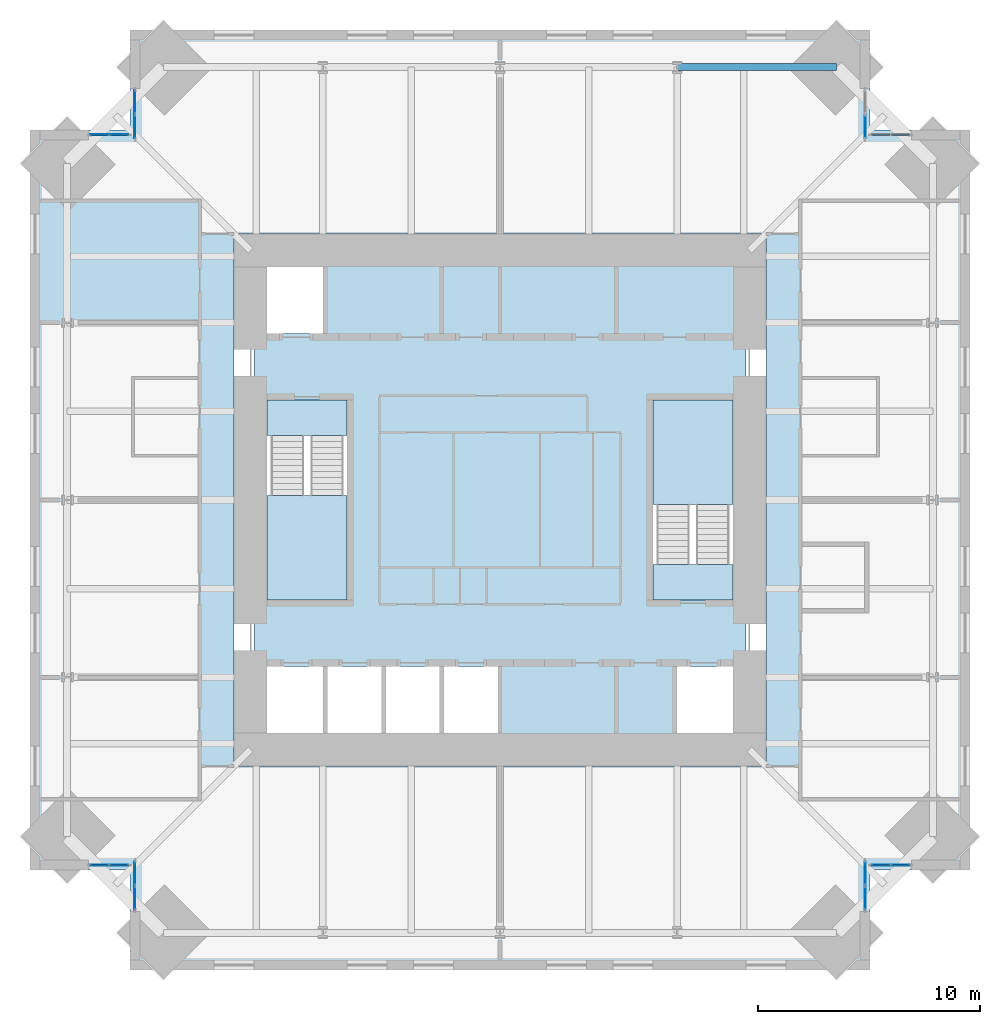
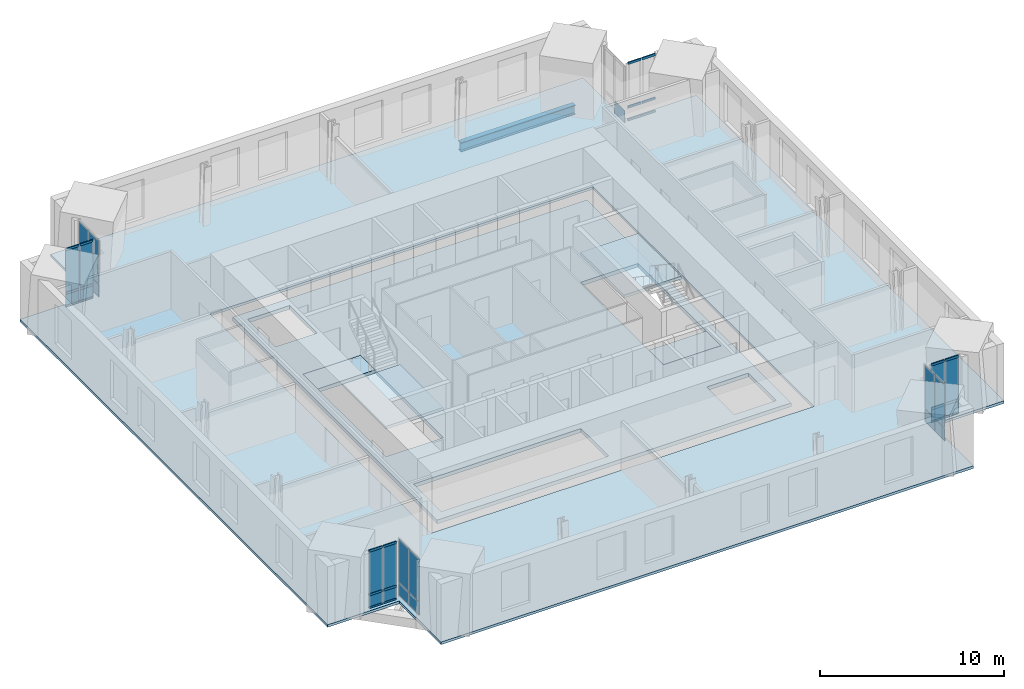
# One storey, part 9 of 15: 25 plates, 24 members, 6 slabs, 1 beam, 10 elements without a shape of their own.
"""IFC4 building model written with IfcOpenShell, lengths in metres."""

from ifc_helpers import new_model, si_unit, direction, frame, origin, origin_2d, place, context, subcontext, project, spatial, polyline, rectangle, hollow_rectangle, i_section, outline, extrude, material, layer, layer_set, material_profile, profile_set, type_object, element, aggregate, save


model = new_model("IFC4")

# Units and contexts
model_context = context("Model", 3, precision=1e-05, world=origin(), true_north=direction((0.0, 1.0)))
body_context = subcontext(model_context, "Body", "Model", "MODEL_VIEW")
ifc_project = project(units=[si_unit("LENGTHUNIT", "METRE"), si_unit("AREAUNIT", "SQUARE_METRE"), si_unit("VOLUMEUNIT", "CUBIC_METRE"), si_unit("PLANEANGLEUNIT", "RADIAN"), si_unit("MASSUNIT", "GRAM", prefix="KILO")], contexts=[model_context])

# Site, building, storey
site_placement = place(None, origin())
site = spatial("IfcSite", under=ifc_project, at=site_placement, CompositionType="ELEMENT")
building_placement = place(site_placement, origin())
building = spatial("IfcBuilding", under=site, at=building_placement, Name="Peilmerk Tower", CompositionType="ELEMENT")
storey_placement = place(building_placement, frame((0.0, 0.0, 281.800048828125)))
storey = spatial("IfcBuildingStorey", under=building, at=storey_placement, Name="L63", CompositionType="ELEMENT", Elevation=281.800048828125)

# Beam
ifc_material_1 = material(Name="Steel S355", Category="steel")
ifc_material_profile_1 = material_profile(ifc_material_1, i_section(OverallWidth=0.304931640625, OverallDepth=0.6201171875, WebThickness=0.02099609375, FlangeThickness=0.0400390625, at=origin_2d()), Name="HEM 600")
ifc_profile_set_1 = profile_set([ifc_material_profile_1], Name="Steel S355")
beam_type = type_object("IfcBeamType", Name="B31 HEM 600 edge beam", PredefinedType="SPANDREL", material=ifc_profile_set_1)
beam_placement = place(storey_placement, frame((15.183837890625, 19.533935546875, -0.47998046875), z_axis=(-1.0, 0.0, 0.0), x_axis=(0.0, -1.0, 0.0)))
element("IfcBeam", 1, at=beam_placement, inside=storey, type_object=beam_type, Name="Edge beam L63", PredefinedType="SPANDREL", context=body_context, shape_type="SweptSolid", body=[
    extrude(i_section(OverallWidth=0.304931640625, OverallDepth=0.6201171875, WebThickness=0.02099609375, FlangeThickness=0.0400390625, at=origin_2d()), origin(), (0.0, 0.0, 1.0), 7.183837890625),
])

# Curtain wall, members
ifc_material_2 = material(Name="Aluminium stick curtain wall", Category="aluminium")
curtain_wall_type = type_object("IfcCurtainWallType", Name="CW4 stick curtain wall, 2250 module", PredefinedType="NOTDEFINED", material=ifc_material_2)
curtain_wall_1_placement = place(storey_placement, origin())
curtain_wall_1 = element("IfcCurtainWall", 2, at=curtain_wall_1_placement, inside=storey, type_object=curtain_wall_type, Name="Curtain wall CW4 NEB L63", PredefinedType="NOTDEFINED")
ifc_material_3 = material(Name="Aluminium EN AW-6063 T6", Category="aluminium")
ifc_material_profile_2 = material_profile(ifc_material_3, hollow_rectangle(XDim=0.06494140625, YDim=0.14990234375, WallThickness=0.0029296875, at=origin_2d()), Name="AL 150x65x3")
ifc_profile_set_2 = profile_set([ifc_material_profile_2], Name="Aluminium EN AW-6063 T6")
member_type = type_object("IfcMemberType", Name="CW4-T AL 150x65x3 transom", PredefinedType="USERDEFINED", material=ifc_profile_set_2)
member_1_placement = place(storey_placement, frame((16.764892578125, 16.47509765625, 0.032470703125), z_axis=(1.0, 0.0, 0.0), x_axis=(0.0, 1.0, 0.0)))
member_1 = element("IfcMember", 3, at=member_1_placement, type_object=member_type, Name="CW4 transom 1.1", ObjectType="TRANSOM", PredefinedType="USERDEFINED", context=body_context, shape_type="SweptSolid", body=[
    extrude(hollow_rectangle(XDim=0.06494140625, YDim=0.14990234375, WallThickness=0.0029296875, at=origin_2d()), origin(), (0.0, 0.0, 1.0), 0.822021484375),
])
member_2_placement = place(storey_placement, frame((16.764892578125, 16.47509765625, 0.89990234375), z_axis=(1.0, 0.0, 0.0), x_axis=(0.0, 1.0, 0.0)))
member_2 = element("IfcMember", 4, at=member_2_placement, type_object=member_type, Name="CW4 transom 1.2", ObjectType="TRANSOM", PredefinedType="USERDEFINED", context=body_context, shape_type="SweptSolid", body=[
    extrude(hollow_rectangle(XDim=0.06494140625, YDim=0.14990234375, WallThickness=0.0029296875, at=origin_2d()), origin(), (0.0, 0.0, 1.0), 0.822021484375),
])
member_3_placement = place(storey_placement, frame((16.764892578125, 16.47509765625, 3.79736328125), z_axis=(1.0, 0.0, 0.0), x_axis=(0.0, 1.0, 0.0)))
member_3 = element("IfcMember", 5, at=member_3_placement, type_object=member_type, Name="CW4 transom 1.3", ObjectType="TRANSOM", PredefinedType="USERDEFINED", context=body_context, shape_type="SweptSolid", body=[
    extrude(hollow_rectangle(XDim=0.06494140625, YDim=0.14990234375, WallThickness=0.0029296875, at=origin_2d()), origin(), (0.0, 0.0, 1.0), 0.822021484375),
])
member_4_placement = place(storey_placement, frame((17.65185546875, 16.47509765625, 0.032470703125), z_axis=(1.0, 0.0, 0.0), x_axis=(0.0, 1.0, 0.0)))
member_4 = element("IfcMember", 6, at=member_4_placement, type_object=member_type, Name="CW4 transom 2.1", ObjectType="TRANSOM", PredefinedType="USERDEFINED", context=body_context, shape_type="SweptSolid", body=[
    extrude(hollow_rectangle(XDim=0.06494140625, YDim=0.14990234375, WallThickness=0.0029296875, at=origin_2d()), origin(), (0.0, 0.0, 1.0), 0.82177734375),
])
member_5_placement = place(storey_placement, frame((17.65185546875, 16.47509765625, 0.89990234375), z_axis=(1.0, 0.0, 0.0), x_axis=(0.0, 1.0, 0.0)))
member_5 = element("IfcMember", 7, at=member_5_placement, type_object=member_type, Name="CW4 transom 2.2", ObjectType="TRANSOM", PredefinedType="USERDEFINED", context=body_context, shape_type="SweptSolid", body=[
    extrude(hollow_rectangle(XDim=0.06494140625, YDim=0.14990234375, WallThickness=0.0029296875, at=origin_2d()), origin(), (0.0, 0.0, 1.0), 0.82177734375),
])
member_6_placement = place(storey_placement, frame((17.65185546875, 16.47509765625, 3.79736328125), z_axis=(1.0, 0.0, 0.0), x_axis=(0.0, 1.0, 0.0)))
member_6 = element("IfcMember", 8, at=member_6_placement, type_object=member_type, Name="CW4 transom 2.3", ObjectType="TRANSOM", PredefinedType="USERDEFINED", context=body_context, shape_type="SweptSolid", body=[
    extrude(hollow_rectangle(XDim=0.06494140625, YDim=0.14990234375, WallThickness=0.0029296875, at=origin_2d()), origin(), (0.0, 0.0, 1.0), 0.82177734375),
])
aggregate(curtain_wall_1, [member_1, member_2, member_3, member_4, member_5, member_6])

curtain_wall_2_placement = place(storey_placement, origin())
curtain_wall_2 = element("IfcCurtainWall", 9, at=curtain_wall_2_placement, inside=storey, type_object=curtain_wall_type, Name="Curtain wall CW4 SEB L63", PredefinedType="NOTDEFINED")
member_7_placement = place(storey_placement, frame((16.764892578125, -16.47509765625, 0.032470703125), z_axis=(1.0, 0.0, 0.0), x_axis=(0.0, 1.0, 0.0)))
member_7 = element("IfcMember", 10, at=member_7_placement, type_object=member_type, Name="CW4 transom 1.1", ObjectType="TRANSOM", PredefinedType="USERDEFINED", context=body_context, shape_type="SweptSolid", body=[
    extrude(hollow_rectangle(XDim=0.06494140625, YDim=0.14990234375, WallThickness=0.0029296875, at=origin_2d()), origin(), (0.0, 0.0, 1.0), 0.822021484375),
])
member_8_placement = place(storey_placement, frame((16.764892578125, -16.47509765625, 0.89990234375), z_axis=(1.0, 0.0, 0.0), x_axis=(0.0, 1.0, 0.0)))
member_8 = element("IfcMember", 11, at=member_8_placement, type_object=member_type, Name="CW4 transom 1.2", ObjectType="TRANSOM", PredefinedType="USERDEFINED", context=body_context, shape_type="SweptSolid", body=[
    extrude(hollow_rectangle(XDim=0.06494140625, YDim=0.14990234375, WallThickness=0.0029296875, at=origin_2d()), origin(), (0.0, 0.0, 1.0), 0.822021484375),
])
member_9_placement = place(storey_placement, frame((16.764892578125, -16.47509765625, 3.79736328125), z_axis=(1.0, 0.0, 0.0), x_axis=(0.0, 1.0, 0.0)))
member_9 = element("IfcMember", 12, at=member_9_placement, type_object=member_type, Name="CW4 transom 1.3", ObjectType="TRANSOM", PredefinedType="USERDEFINED", context=body_context, shape_type="SweptSolid", body=[
    extrude(hollow_rectangle(XDim=0.06494140625, YDim=0.14990234375, WallThickness=0.0029296875, at=origin_2d()), origin(), (0.0, 0.0, 1.0), 0.822021484375),
])
member_10_placement = place(storey_placement, frame((17.65185546875, -16.47509765625, 0.032470703125), z_axis=(1.0, 0.0, 0.0), x_axis=(0.0, 1.0, 0.0)))
member_10 = element("IfcMember", 13, at=member_10_placement, type_object=member_type, Name="CW4 transom 2.1", ObjectType="TRANSOM", PredefinedType="USERDEFINED", context=body_context, shape_type="SweptSolid", body=[
    extrude(hollow_rectangle(XDim=0.06494140625, YDim=0.14990234375, WallThickness=0.0029296875, at=origin_2d()), origin(), (0.0, 0.0, 1.0), 0.82177734375),
])
member_11_placement = place(storey_placement, frame((17.65185546875, -16.47509765625, 0.89990234375), z_axis=(1.0, 0.0, 0.0), x_axis=(0.0, 1.0, 0.0)))
member_11 = element("IfcMember", 14, at=member_11_placement, type_object=member_type, Name="CW4 transom 2.2", ObjectType="TRANSOM", PredefinedType="USERDEFINED", context=body_context, shape_type="SweptSolid", body=[
    extrude(hollow_rectangle(XDim=0.06494140625, YDim=0.14990234375, WallThickness=0.0029296875, at=origin_2d()), origin(), (0.0, 0.0, 1.0), 0.82177734375),
])
member_12_placement = place(storey_placement, frame((17.65185546875, -16.47509765625, 3.79736328125), z_axis=(1.0, 0.0, 0.0), x_axis=(0.0, 1.0, 0.0)))
member_12 = element("IfcMember", 15, at=member_12_placement, type_object=member_type, Name="CW4 transom 2.3", ObjectType="TRANSOM", PredefinedType="USERDEFINED", context=body_context, shape_type="SweptSolid", body=[
    extrude(hollow_rectangle(XDim=0.06494140625, YDim=0.14990234375, WallThickness=0.0029296875, at=origin_2d()), origin(), (0.0, 0.0, 1.0), 0.82177734375),
])

curtain_wall_3_placement = place(storey_placement, origin())
curtain_wall_3 = element("IfcCurtainWall", 16, at=curtain_wall_3_placement, inside=storey, type_object=curtain_wall_type, Name="Curtain wall CW4 SWB L63", PredefinedType="NOTDEFINED")
member_13_placement = place(storey_placement, frame((-16.764892578125, -16.47509765625, 0.032470703125), z_axis=(-1.0, 0.0, 0.0), x_axis=(0.0, -1.0, 0.0)))
member_13 = element("IfcMember", 17, at=member_13_placement, type_object=member_type, Name="CW4 transom 1.1", ObjectType="TRANSOM", PredefinedType="USERDEFINED", context=body_context, shape_type="SweptSolid", body=[
    extrude(hollow_rectangle(XDim=0.06494140625, YDim=0.14990234375, WallThickness=0.0029296875, at=origin_2d()), origin(), (0.0, 0.0, 1.0), 0.822021484375),
])
member_14_placement = place(storey_placement, frame((-16.764892578125, -16.47509765625, 0.89990234375), z_axis=(-1.0, 0.0, 0.0), x_axis=(0.0, -1.0, 0.0)))
member_14 = element("IfcMember", 18, at=member_14_placement, type_object=member_type, Name="CW4 transom 1.2", ObjectType="TRANSOM", PredefinedType="USERDEFINED", context=body_context, shape_type="SweptSolid", body=[
    extrude(hollow_rectangle(XDim=0.06494140625, YDim=0.14990234375, WallThickness=0.0029296875, at=origin_2d()), origin(), (0.0, 0.0, 1.0), 0.822021484375),
])
member_15_placement = place(storey_placement, frame((-16.764892578125, -16.47509765625, 3.79736328125), z_axis=(-1.0, 0.0, 0.0), x_axis=(0.0, -1.0, 0.0)))
member_15 = element("IfcMember", 19, at=member_15_placement, type_object=member_type, Name="CW4 transom 1.3", ObjectType="TRANSOM", PredefinedType="USERDEFINED", context=body_context, shape_type="SweptSolid", body=[
    extrude(hollow_rectangle(XDim=0.06494140625, YDim=0.14990234375, WallThickness=0.0029296875, at=origin_2d()), origin(), (0.0, 0.0, 1.0), 0.822021484375),
])
member_16_placement = place(storey_placement, frame((-17.65185546875, -16.47509765625, 0.032470703125), z_axis=(-1.0, 0.0, 0.0), x_axis=(0.0, -1.0, 0.0)))
member_16 = element("IfcMember", 20, at=member_16_placement, type_object=member_type, Name="CW4 transom 2.1", ObjectType="TRANSOM", PredefinedType="USERDEFINED", context=body_context, shape_type="SweptSolid", body=[
    extrude(hollow_rectangle(XDim=0.06494140625, YDim=0.14990234375, WallThickness=0.0029296875, at=origin_2d()), origin(), (0.0, 0.0, 1.0), 0.82177734375),
])
member_17_placement = place(storey_placement, frame((-17.65185546875, -16.47509765625, 0.89990234375), z_axis=(-1.0, 0.0, 0.0), x_axis=(0.0, -1.0, 0.0)))
member_17 = element("IfcMember", 21, at=member_17_placement, type_object=member_type, Name="CW4 transom 2.2", ObjectType="TRANSOM", PredefinedType="USERDEFINED", context=body_context, shape_type="SweptSolid", body=[
    extrude(hollow_rectangle(XDim=0.06494140625, YDim=0.14990234375, WallThickness=0.0029296875, at=origin_2d()), origin(), (0.0, 0.0, 1.0), 0.82177734375),
])
member_18_placement = place(storey_placement, frame((-17.65185546875, -16.47509765625, 3.79736328125), z_axis=(-1.0, 0.0, 0.0), x_axis=(0.0, -1.0, 0.0)))
member_18 = element("IfcMember", 22, at=member_18_placement, type_object=member_type, Name="CW4 transom 2.3", ObjectType="TRANSOM", PredefinedType="USERDEFINED", context=body_context, shape_type="SweptSolid", body=[
    extrude(hollow_rectangle(XDim=0.06494140625, YDim=0.14990234375, WallThickness=0.0029296875, at=origin_2d()), origin(), (0.0, 0.0, 1.0), 0.82177734375),
])

curtain_wall_4_placement = place(storey_placement, origin())
curtain_wall_4 = element("IfcCurtainWall", 23, at=curtain_wall_4_placement, inside=storey, type_object=curtain_wall_type, Name="Curtain wall CW4 NWB L63", PredefinedType="NOTDEFINED")
member_19_placement = place(storey_placement, frame((-16.764892578125, 16.47509765625, 0.032470703125), z_axis=(-1.0, 0.0, 0.0), x_axis=(0.0, -1.0, 0.0)))
member_19 = element("IfcMember", 24, at=member_19_placement, type_object=member_type, Name="CW4 transom 1.1", ObjectType="TRANSOM", PredefinedType="USERDEFINED", context=body_context, shape_type="SweptSolid", body=[
    extrude(hollow_rectangle(XDim=0.06494140625, YDim=0.14990234375, WallThickness=0.0029296875, at=origin_2d()), origin(), (0.0, 0.0, 1.0), 0.822021484375),
])
member_20_placement = place(storey_placement, frame((-16.764892578125, 16.47509765625, 0.89990234375), z_axis=(-1.0, 0.0, 0.0), x_axis=(0.0, -1.0, 0.0)))
member_20 = element("IfcMember", 25, at=member_20_placement, type_object=member_type, Name="CW4 transom 1.2", ObjectType="TRANSOM", PredefinedType="USERDEFINED", context=body_context, shape_type="SweptSolid", body=[
    extrude(hollow_rectangle(XDim=0.06494140625, YDim=0.14990234375, WallThickness=0.0029296875, at=origin_2d()), origin(), (0.0, 0.0, 1.0), 0.822021484375),
])
member_21_placement = place(storey_placement, frame((-16.764892578125, 16.47509765625, 3.79736328125), z_axis=(-1.0, 0.0, 0.0), x_axis=(0.0, -1.0, 0.0)))
member_21 = element("IfcMember", 26, at=member_21_placement, type_object=member_type, Name="CW4 transom 1.3", ObjectType="TRANSOM", PredefinedType="USERDEFINED", context=body_context, shape_type="SweptSolid", body=[
    extrude(hollow_rectangle(XDim=0.06494140625, YDim=0.14990234375, WallThickness=0.0029296875, at=origin_2d()), origin(), (0.0, 0.0, 1.0), 0.822021484375),
])
member_22_placement = place(storey_placement, frame((-17.65185546875, 16.47509765625, 0.032470703125), z_axis=(-1.0, 0.0, 0.0), x_axis=(0.0, -1.0, 0.0)))
member_22 = element("IfcMember", 27, at=member_22_placement, type_object=member_type, Name="CW4 transom 2.1", ObjectType="TRANSOM", PredefinedType="USERDEFINED", context=body_context, shape_type="SweptSolid", body=[
    extrude(hollow_rectangle(XDim=0.06494140625, YDim=0.14990234375, WallThickness=0.0029296875, at=origin_2d()), origin(), (0.0, 0.0, 1.0), 0.82177734375),
])
member_23_placement = place(storey_placement, frame((-17.65185546875, 16.47509765625, 0.89990234375), z_axis=(-1.0, 0.0, 0.0), x_axis=(0.0, -1.0, 0.0)))
member_23 = element("IfcMember", 28, at=member_23_placement, type_object=member_type, Name="CW4 transom 2.2", ObjectType="TRANSOM", PredefinedType="USERDEFINED", context=body_context, shape_type="SweptSolid", body=[
    extrude(hollow_rectangle(XDim=0.06494140625, YDim=0.14990234375, WallThickness=0.0029296875, at=origin_2d()), origin(), (0.0, 0.0, 1.0), 0.82177734375),
])
member_24_placement = place(storey_placement, frame((-17.65185546875, 16.47509765625, 3.79736328125), z_axis=(-1.0, 0.0, 0.0), x_axis=(0.0, -1.0, 0.0)))
member_24 = element("IfcMember", 29, at=member_24_placement, type_object=member_type, Name="CW4 transom 2.3", ObjectType="TRANSOM", PredefinedType="USERDEFINED", context=body_context, shape_type="SweptSolid", body=[
    extrude(hollow_rectangle(XDim=0.06494140625, YDim=0.14990234375, WallThickness=0.0029296875, at=origin_2d()), origin(), (0.0, 0.0, 1.0), 0.82177734375),
])

# Slab
ifc_material_4 = material(Name="Concrete C55/67", Category="concrete")
ifc_layer_1 = layer(ifc_material_4, 0.25)
ifc_layer_set_1 = layer_set([ifc_layer_1], Name="Concrete C55/67")
slab_type_1 = type_object("IfcSlabType", Name="CS250 250 core floor slab", PredefinedType="FLOOR", material=ifc_layer_set_1)
slab_1_placement = place(storey_placement, frame((0.0, 0.0, -0.25)))
element("IfcSlab", 30, at=slab_1_placement, inside=storey, type_object=slab_type_1, Name="Core slab L63", PredefinedType="FLOOR", context=body_context, shape_type="SweptSolid", body=[
    extrude(outline(polyline([(11.10009765625, -11.10009765625), (11.10009765625, 11.10009765625), (-11.10009765625, 11.10009765625), (-11.10009765625, -11.10009765625), (11.10009765625, -11.10009765625)]), holes=[polyline([(-7.875, 7.5), (-10.5, 7.5), (-10.5, 10.5), (-7.875, 10.5), (-7.875, 7.5)]), polyline([(0.0, -10.5), (-10.5, -10.5), (-10.5, -7.5), (0.0, -7.5), (0.0, -10.5)]), polyline([(7.875, -10.5), (7.875, -7.5), (10.5, -7.5), (10.5, -10.5), (7.875, -10.5)]), polyline([(-10.5, 4.5), (-6.89990234375, 4.5), (-6.89990234375, -4.5), (-10.5, -4.5), (-10.5, 4.5)]), polyline([(10.5, 4.5), (10.5, -4.5), (6.89990234375, -4.5), (6.89990234375, 4.5), (10.5, 4.5)])]), origin(), (0.0, 0.0, 1.0), 0.25),
])

# Curtain wall, plate
curtain_wall_5_placement = place(storey_placement, origin())
curtain_wall_5 = element("IfcCurtainWall", 31, at=curtain_wall_5_placement, inside=storey, type_object=curtain_wall_type, Name="Curtain wall CW4 NEA L63", PredefinedType="NOTDEFINED")
ifc_material_5 = material(Name="Clear insulated glazing unit", Category="glass")
ifc_layer_2 = layer(ifc_material_5, 0.028076171875)
ifc_layer_set_2 = layer_set([ifc_layer_2], Name="Clear insulated glazing unit")
plate_type = type_object("IfcPlateType", Name="CW4-P 28 glazed panel", PredefinedType="CURTAIN_PANEL", material=ifc_layer_set_2)
plate_1_placement = place(storey_placement, frame((16.47509765625, 16.83837890625, 0.06494140625), z_axis=(0.0, 0.0, 1.0), x_axis=(0.0, 1.0, 0.0)))
plate_1 = element("IfcPlate", 32, at=plate_1_placement, type_object=plate_type, Name="CW4 panel 1.1", PredefinedType="CURTAIN_PANEL", context=body_context, shape_type="SweptSolid", body=[
    extrude(rectangle(XDim=1.046875, YDim=0.028076171875, at=origin_2d()), origin(), (0.0, 0.0, 1.0), 0.802490234375),
])
aggregate(curtain_wall_5, [plate_1])

# Curtain wall, plates
curtain_wall_6_placement = place(storey_placement, origin())
curtain_wall_6 = element("IfcCurtainWall", 33, at=curtain_wall_6_placement, inside=storey, type_object=curtain_wall_type, Name="Curtain wall CW4 SEA L63", PredefinedType="NOTDEFINED")
plate_2_placement = place(storey_placement, frame((16.47509765625, -16.83837890625, 0.06494140625), z_axis=(0.0, 0.0, 1.0), x_axis=(0.0, -1.0, 0.0)))
plate_2 = element("IfcPlate", 34, at=plate_2_placement, type_object=plate_type, Name="CW4 panel 1.1", PredefinedType="CURTAIN_PANEL", context=body_context, shape_type="SweptSolid", body=[
    extrude(rectangle(XDim=1.046875, YDim=0.028076171875, at=origin_2d()), origin(), (0.0, 0.0, 1.0), 0.802490234375),
])
plate_3_placement = place(storey_placement, frame((16.47509765625, -16.83837890625, 0.932373046875), z_axis=(0.0, 0.0, 1.0), x_axis=(0.0, -1.0, 0.0)))
plate_3 = element("IfcPlate", 35, at=plate_3_placement, type_object=plate_type, Name="CW4 panel 1.2", PredefinedType="CURTAIN_PANEL", context=body_context, shape_type="SweptSolid", body=[
    extrude(rectangle(XDim=1.046875, YDim=0.028076171875, at=origin_2d()), origin(), (0.0, 0.0, 1.0), 2.83251953125),
])
plate_4_placement = place(storey_placement, frame((16.47509765625, -17.9501953125, 0.06494140625), z_axis=(0.0, 0.0, 1.0), x_axis=(0.0, -1.0, 0.0)))
plate_4 = element("IfcPlate", 36, at=plate_4_placement, type_object=plate_type, Name="CW4 panel 2.1", PredefinedType="CURTAIN_PANEL", context=body_context, shape_type="SweptSolid", body=[
    extrude(rectangle(XDim=1.046875, YDim=0.028076171875, at=origin_2d()), origin(), (0.0, 0.0, 1.0), 0.802490234375),
])
plate_5_placement = place(storey_placement, frame((16.47509765625, -17.9501953125, 0.932373046875), z_axis=(0.0, 0.0, 1.0), x_axis=(0.0, -1.0, 0.0)))
plate_5 = element("IfcPlate", 37, at=plate_5_placement, type_object=plate_type, Name="CW4 panel 2.2", PredefinedType="CURTAIN_PANEL", context=body_context, shape_type="SweptSolid", body=[
    extrude(rectangle(XDim=1.046875, YDim=0.028076171875, at=origin_2d()), origin(), (0.0, 0.0, 1.0), 2.83251953125),
])
aggregate(curtain_wall_6, [plate_2, plate_3, plate_4, plate_5])

# Plate
plate_6_placement = place(storey_placement, frame((17.176025390625, -16.47509765625, 0.06494140625), z_axis=(0.0, 0.0, 1.0), x_axis=(1.0, 0.0, 0.0)))
plate_6 = element("IfcPlate", 38, at=plate_6_placement, type_object=plate_type, Name="CW4 panel 1.1", PredefinedType="CURTAIN_PANEL", context=body_context, shape_type="SweptSolid", body=[
    extrude(rectangle(XDim=0.82177734375, YDim=0.028076171875, at=origin_2d()), origin(), (0.0, 0.0, 1.0), 0.802490234375),
])

plate_7_placement = place(storey_placement, frame((17.176025390625, -16.47509765625, 0.932373046875), z_axis=(0.0, 0.0, 1.0), x_axis=(1.0, 0.0, 0.0)))
plate_7 = element("IfcPlate", 39, at=plate_7_placement, type_object=plate_type, Name="CW4 panel 1.2", PredefinedType="CURTAIN_PANEL", context=body_context, shape_type="SweptSolid", body=[
    extrude(rectangle(XDim=0.82177734375, YDim=0.028076171875, at=origin_2d()), origin(), (0.0, 0.0, 1.0), 2.83251953125),
])

plate_8_placement = place(storey_placement, frame((18.062744140625, -16.47509765625, 0.06494140625), z_axis=(0.0, 0.0, 1.0), x_axis=(1.0, 0.0, 0.0)))
plate_8 = element("IfcPlate", 40, at=plate_8_placement, type_object=plate_type, Name="CW4 panel 2.1", PredefinedType="CURTAIN_PANEL", context=body_context, shape_type="SweptSolid", body=[
    extrude(rectangle(XDim=0.82177734375, YDim=0.028076171875, at=origin_2d()), origin(), (0.0, 0.0, 1.0), 0.802490234375),
])

plate_9_placement = place(storey_placement, frame((18.062744140625, -16.47509765625, 0.932373046875), z_axis=(0.0, 0.0, 1.0), x_axis=(1.0, 0.0, 0.0)))
plate_9 = element("IfcPlate", 41, at=plate_9_placement, type_object=plate_type, Name="CW4 panel 2.2", PredefinedType="CURTAIN_PANEL", context=body_context, shape_type="SweptSolid", body=[
    extrude(rectangle(XDim=0.82177734375, YDim=0.028076171875, at=origin_2d()), origin(), (0.0, 0.0, 1.0), 2.83251953125),
])

aggregate(curtain_wall_2, [member_7, member_8, member_9, plate_6, plate_7, member_10, member_11, member_12, plate_8, plate_9])

# Curtain wall, plates
curtain_wall_7_placement = place(storey_placement, origin())
curtain_wall_7 = element("IfcCurtainWall", 42, at=curtain_wall_7_placement, inside=storey, type_object=curtain_wall_type, Name="Curtain wall CW4 SWA L63", PredefinedType="NOTDEFINED")
plate_10_placement = place(storey_placement, frame((-16.47509765625, -16.83837890625, 0.06494140625), z_axis=(0.0, 0.0, 1.0), x_axis=(0.0, -1.0, 0.0)))
plate_10 = element("IfcPlate", 43, at=plate_10_placement, type_object=plate_type, Name="CW4 panel 1.1", PredefinedType="CURTAIN_PANEL", context=body_context, shape_type="SweptSolid", body=[
    extrude(rectangle(XDim=1.046875, YDim=0.028076171875, at=origin_2d()), origin(), (0.0, 0.0, 1.0), 0.802490234375),
])
plate_11_placement = place(storey_placement, frame((-16.47509765625, -16.83837890625, 0.932373046875), z_axis=(0.0, 0.0, 1.0), x_axis=(0.0, -1.0, 0.0)))
plate_11 = element("IfcPlate", 44, at=plate_11_placement, type_object=plate_type, Name="CW4 panel 1.2", PredefinedType="CURTAIN_PANEL", context=body_context, shape_type="SweptSolid", body=[
    extrude(rectangle(XDim=1.046875, YDim=0.028076171875, at=origin_2d()), origin(), (0.0, 0.0, 1.0), 2.83251953125),
])
plate_12_placement = place(storey_placement, frame((-16.47509765625, -17.9501953125, 0.06494140625), z_axis=(0.0, 0.0, 1.0), x_axis=(0.0, -1.0, 0.0)))
plate_12 = element("IfcPlate", 45, at=plate_12_placement, type_object=plate_type, Name="CW4 panel 2.1", PredefinedType="CURTAIN_PANEL", context=body_context, shape_type="SweptSolid", body=[
    extrude(rectangle(XDim=1.046875, YDim=0.028076171875, at=origin_2d()), origin(), (0.0, 0.0, 1.0), 0.802490234375),
])
plate_13_placement = place(storey_placement, frame((-16.47509765625, -17.9501953125, 0.932373046875), z_axis=(0.0, 0.0, 1.0), x_axis=(0.0, -1.0, 0.0)))
plate_13 = element("IfcPlate", 46, at=plate_13_placement, type_object=plate_type, Name="CW4 panel 2.2", PredefinedType="CURTAIN_PANEL", context=body_context, shape_type="SweptSolid", body=[
    extrude(rectangle(XDim=1.046875, YDim=0.028076171875, at=origin_2d()), origin(), (0.0, 0.0, 1.0), 2.83251953125),
])
aggregate(curtain_wall_7, [plate_10, plate_11, plate_12, plate_13])

# Plate
plate_14_placement = place(storey_placement, frame((-17.176025390625, -16.47509765625, 0.06494140625), z_axis=(0.0, 0.0, 1.0), x_axis=(-1.0, 0.0, 0.0)))
plate_14 = element("IfcPlate", 47, at=plate_14_placement, type_object=plate_type, Name="CW4 panel 1.1", PredefinedType="CURTAIN_PANEL", context=body_context, shape_type="SweptSolid", body=[
    extrude(rectangle(XDim=0.82177734375, YDim=0.028076171875, at=origin_2d()), origin(), (0.0, 0.0, 1.0), 0.802490234375),
])

plate_15_placement = place(storey_placement, frame((-17.176025390625, -16.47509765625, 0.932373046875), z_axis=(0.0, 0.0, 1.0), x_axis=(-1.0, 0.0, 0.0)))
plate_15 = element("IfcPlate", 48, at=plate_15_placement, type_object=plate_type, Name="CW4 panel 1.2", PredefinedType="CURTAIN_PANEL", context=body_context, shape_type="SweptSolid", body=[
    extrude(rectangle(XDim=0.82177734375, YDim=0.028076171875, at=origin_2d()), origin(), (0.0, 0.0, 1.0), 2.83251953125),
])

plate_16_placement = place(storey_placement, frame((-18.062744140625, -16.47509765625, 0.06494140625), z_axis=(0.0, 0.0, 1.0), x_axis=(-1.0, 0.0, 0.0)))
plate_16 = element("IfcPlate", 49, at=plate_16_placement, type_object=plate_type, Name="CW4 panel 2.1", PredefinedType="CURTAIN_PANEL", context=body_context, shape_type="SweptSolid", body=[
    extrude(rectangle(XDim=0.82177734375, YDim=0.028076171875, at=origin_2d()), origin(), (0.0, 0.0, 1.0), 0.802490234375),
])

plate_17_placement = place(storey_placement, frame((-18.062744140625, -16.47509765625, 0.932373046875), z_axis=(0.0, 0.0, 1.0), x_axis=(-1.0, 0.0, 0.0)))
plate_17 = element("IfcPlate", 50, at=plate_17_placement, type_object=plate_type, Name="CW4 panel 2.2", PredefinedType="CURTAIN_PANEL", context=body_context, shape_type="SweptSolid", body=[
    extrude(rectangle(XDim=0.82177734375, YDim=0.028076171875, at=origin_2d()), origin(), (0.0, 0.0, 1.0), 2.83251953125),
])

aggregate(curtain_wall_3, [member_13, member_14, member_15, plate_14, plate_15, member_16, member_17, member_18, plate_16, plate_17])

# Curtain wall, plates
curtain_wall_8_placement = place(storey_placement, origin())
curtain_wall_8 = element("IfcCurtainWall", 51, at=curtain_wall_8_placement, inside=storey, type_object=curtain_wall_type, Name="Curtain wall CW4 NWA L63", PredefinedType="NOTDEFINED")
plate_18_placement = place(storey_placement, frame((-16.47509765625, 16.83837890625, 0.06494140625), z_axis=(0.0, 0.0, 1.0), x_axis=(0.0, 1.0, 0.0)))
plate_18 = element("IfcPlate", 52, at=plate_18_placement, type_object=plate_type, Name="CW4 panel 1.1", PredefinedType="CURTAIN_PANEL", context=body_context, shape_type="SweptSolid", body=[
    extrude(rectangle(XDim=1.046875, YDim=0.028076171875, at=origin_2d()), origin(), (0.0, 0.0, 1.0), 0.802490234375),
])
plate_19_placement = place(storey_placement, frame((-16.47509765625, 16.83837890625, 0.932373046875), z_axis=(0.0, 0.0, 1.0), x_axis=(0.0, 1.0, 0.0)))
plate_19 = element("IfcPlate", 53, at=plate_19_placement, type_object=plate_type, Name="CW4 panel 1.2", PredefinedType="CURTAIN_PANEL", context=body_context, shape_type="SweptSolid", body=[
    extrude(rectangle(XDim=1.046875, YDim=0.028076171875, at=origin_2d()), origin(), (0.0, 0.0, 1.0), 2.83251953125),
])
plate_20_placement = place(storey_placement, frame((-16.47509765625, 17.9501953125, 0.06494140625), z_axis=(0.0, 0.0, 1.0), x_axis=(0.0, 1.0, 0.0)))
plate_20 = element("IfcPlate", 54, at=plate_20_placement, type_object=plate_type, Name="CW4 panel 2.1", PredefinedType="CURTAIN_PANEL", context=body_context, shape_type="SweptSolid", body=[
    extrude(rectangle(XDim=1.046875, YDim=0.028076171875, at=origin_2d()), origin(), (0.0, 0.0, 1.0), 0.802490234375),
])
plate_21_placement = place(storey_placement, frame((-16.47509765625, 17.9501953125, 0.932373046875), z_axis=(0.0, 0.0, 1.0), x_axis=(0.0, 1.0, 0.0)))
plate_21 = element("IfcPlate", 55, at=plate_21_placement, type_object=plate_type, Name="CW4 panel 2.2", PredefinedType="CURTAIN_PANEL", context=body_context, shape_type="SweptSolid", body=[
    extrude(rectangle(XDim=1.046875, YDim=0.028076171875, at=origin_2d()), origin(), (0.0, 0.0, 1.0), 2.83251953125),
])
aggregate(curtain_wall_8, [plate_18, plate_19, plate_20, plate_21])

# Plate
plate_22_placement = place(storey_placement, frame((-17.176025390625, 16.47509765625, 0.06494140625), z_axis=(0.0, 0.0, 1.0), x_axis=(-1.0, 0.0, 0.0)))
plate_22 = element("IfcPlate", 56, at=plate_22_placement, type_object=plate_type, Name="CW4 panel 1.1", PredefinedType="CURTAIN_PANEL", context=body_context, shape_type="SweptSolid", body=[
    extrude(rectangle(XDim=0.82177734375, YDim=0.028076171875, at=origin_2d()), origin(), (0.0, 0.0, 1.0), 0.802490234375),
])

plate_23_placement = place(storey_placement, frame((-17.176025390625, 16.47509765625, 0.932373046875), z_axis=(0.0, 0.0, 1.0), x_axis=(-1.0, 0.0, 0.0)))
plate_23 = element("IfcPlate", 57, at=plate_23_placement, type_object=plate_type, Name="CW4 panel 1.2", PredefinedType="CURTAIN_PANEL", context=body_context, shape_type="SweptSolid", body=[
    extrude(rectangle(XDim=0.82177734375, YDim=0.028076171875, at=origin_2d()), origin(), (0.0, 0.0, 1.0), 2.83251953125),
])

plate_24_placement = place(storey_placement, frame((-18.062744140625, 16.47509765625, 0.06494140625), z_axis=(0.0, 0.0, 1.0), x_axis=(-1.0, 0.0, 0.0)))
plate_24 = element("IfcPlate", 58, at=plate_24_placement, type_object=plate_type, Name="CW4 panel 2.1", PredefinedType="CURTAIN_PANEL", context=body_context, shape_type="SweptSolid", body=[
    extrude(rectangle(XDim=0.82177734375, YDim=0.028076171875, at=origin_2d()), origin(), (0.0, 0.0, 1.0), 0.802490234375),
])

plate_25_placement = place(storey_placement, frame((-18.062744140625, 16.47509765625, 0.932373046875), z_axis=(0.0, 0.0, 1.0), x_axis=(-1.0, 0.0, 0.0)))
plate_25 = element("IfcPlate", 59, at=plate_25_placement, type_object=plate_type, Name="CW4 panel 2.2", PredefinedType="CURTAIN_PANEL", context=body_context, shape_type="SweptSolid", body=[
    extrude(rectangle(XDim=0.82177734375, YDim=0.028076171875, at=origin_2d()), origin(), (0.0, 0.0, 1.0), 2.83251953125),
])

aggregate(curtain_wall_4, [member_19, member_20, member_21, plate_22, plate_23, member_22, member_23, member_24, plate_24, plate_25])

# Slab
ifc_material_6 = material(Name="Concrete C35/45", Category="concrete")
ifc_layer_3 = layer(ifc_material_6, 0.169921875)
ifc_layer_set_3 = layer_set([ifc_layer_3], Name="Concrete C35/45")
slab_type_2 = type_object("IfcSlabType", Name="FS170 170 composite floor slab", PredefinedType="FLOOR", material=ifc_layer_set_3)
slab_2_placement = place(storey_placement, frame((0.0, 0.0, -0.170166015625)))
element("IfcSlab", 60, at=slab_2_placement, inside=storey, type_object=slab_type_2, Name="Floor slab L63", PredefinedType="FLOOR", context=body_context, shape_type="SweptSolid", body=[
    extrude(outline(polyline([(-16.699951171875, -21.199951171875), (16.699951171875, -21.199951171875), (16.699951171875, -16.699951171875), (21.199951171875, -16.699951171875), (21.199951171875, 16.699951171875), (16.699951171875, 16.699951171875), (16.699951171875, 21.199951171875), (-16.699951171875, 21.199951171875), (-16.699951171875, 16.699951171875), (-21.199951171875, 16.699951171875), (-21.199951171875, -16.699951171875), (-16.699951171875, -16.699951171875), (-16.699951171875, -21.199951171875)]), holes=[polyline([(12.0, 12.0), (12.0, -12.0), (-12.0, -12.0), (-12.0, 12.0), (12.0, 12.0)])]), origin(), (0.0, 0.0, 1.0), 0.170166015625),
])

# Stair, slab
ifc_material_7 = material(Name="Precast concrete C45/55", Category="concrete")
stair_type_1 = type_object("IfcStairType", Name="ST1 22 risers of 181.8", PredefinedType="HALF_TURN_STAIR", material=ifc_material_7)
stair_1_placement = place(storey_placement, origin())
stair_1 = element("IfcStair", 61, at=stair_1_placement, inside=storey, type_object=stair_type_1, Name="Stair 1 L63 to L64", PredefinedType="HALF_TURN_STAIR")
ifc_layer_4 = layer(ifc_material_6, 0.199951171875)
ifc_layer_set_4 = layer_set([ifc_layer_4], Name="Concrete C35/45")
slab_type_3 = type_object("IfcSlabType", Name="SL1 200 concrete stair landing", PredefinedType="LANDING", material=ifc_layer_set_4)
slab_3_placement = place(storey_placement, frame((0.0, 0.0, 1.800048828125)))
slab_3 = element("IfcSlab", 62, at=slab_3_placement, type_object=slab_type_3, Name="ST1 landing 1", PredefinedType="LANDING", context=body_context, shape_type="SweptSolid", body=[
    extrude(outline(polyline([(-10.5, -4.5), (-6.89990234375, -4.5), (-6.89990234375, 0.199951171875), (-10.5, 0.199951171875), (-10.5, -4.5)])), origin(), (0.0, 0.0, 1.0), 0.199951171875),
])

stair_type_2 = type_object("IfcStairType", Name="ST2 22 risers of 181.8", PredefinedType="HALF_TURN_STAIR", material=ifc_material_7)
stair_2_placement = place(storey_placement, origin())
stair_2 = element("IfcStair", 63, at=stair_2_placement, inside=storey, type_object=stair_type_2, Name="Stair 2 L63 to L64", PredefinedType="HALF_TURN_STAIR")
slab_4_placement = place(storey_placement, frame((0.0, 0.0, 1.800048828125)))
slab_4 = element("IfcSlab", 64, at=slab_4_placement, type_object=slab_type_3, Name="ST2 landing 1", PredefinedType="LANDING", context=body_context, shape_type="SweptSolid", body=[
    extrude(outline(polyline([(6.89990234375, -0.199951171875), (10.5, -0.199951171875), (10.5, 4.5), (6.89990234375, 4.5), (6.89990234375, -0.199951171875)])), origin(), (0.0, 0.0, 1.0), 0.199951171875),
])

# Slab
ifc_layer_5 = layer(ifc_material_6, 0.25)
ifc_layer_set_5 = layer_set([ifc_layer_5], Name="Concrete C35/45")
slab_type_4 = type_object("IfcSlabType", Name="SL2 250 concrete floor landing", PredefinedType="LANDING", material=ifc_layer_set_5)
slab_5_placement = place(storey_placement, frame((0.0, 0.0, -0.25)))
slab_5 = element("IfcSlab", 65, at=slab_5_placement, type_object=slab_type_4, Name="ST1 floor landing", PredefinedType="LANDING", context=body_context, shape_type="SweptSolid", body=[
    extrude(outline(polyline([(-10.5, 2.89990234375), (-6.89990234375, 2.89990234375), (-6.89990234375, 4.5), (-10.5, 4.5), (-10.5, 2.89990234375)])), origin(), (0.0, 0.0, 1.0), 0.25),
])

aggregate(stair_1, [slab_3, slab_5])

slab_6_placement = place(storey_placement, frame((0.0, 0.0, -0.25)))
slab_6 = element("IfcSlab", 66, at=slab_6_placement, type_object=slab_type_4, Name="ST2 floor landing", PredefinedType="LANDING", context=body_context, shape_type="SweptSolid", body=[
    extrude(outline(polyline([(6.89990234375, -4.5), (10.5, -4.5), (10.5, -2.89990234375), (6.89990234375, -2.89990234375), (6.89990234375, -4.5)])), origin(), (0.0, 0.0, 1.0), 0.25),
])

aggregate(stair_2, [slab_4, slab_6])

save(model, "model.ifc")
